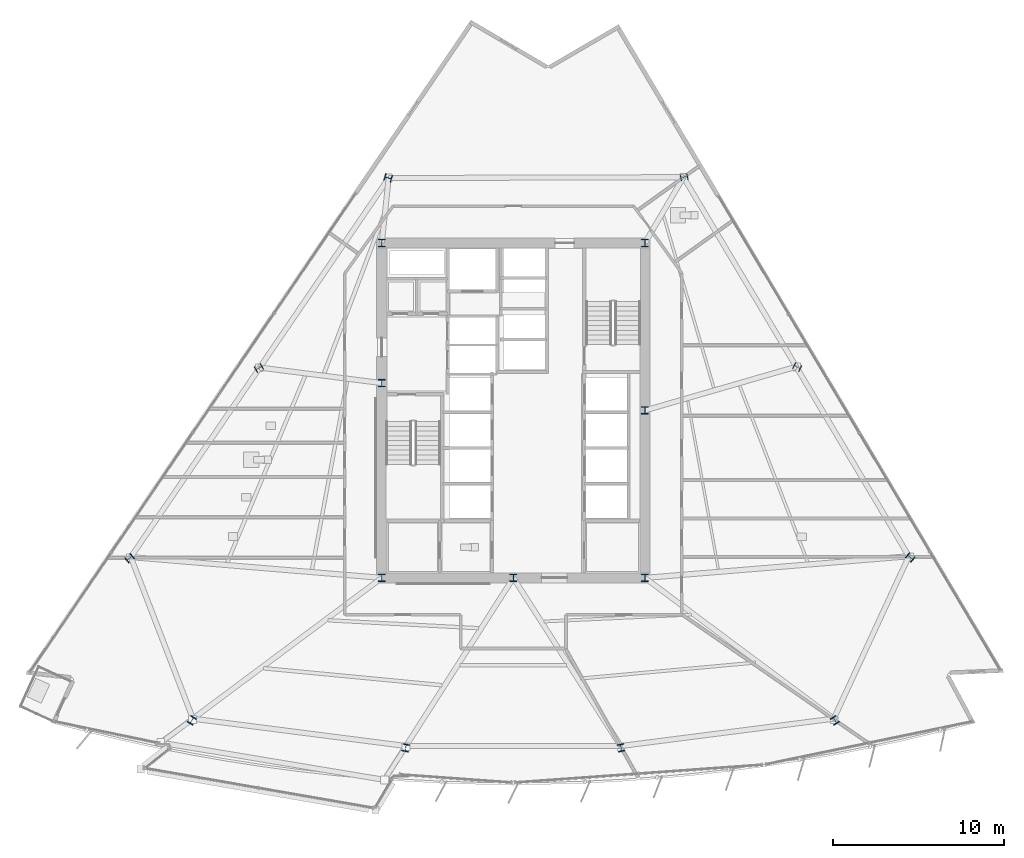
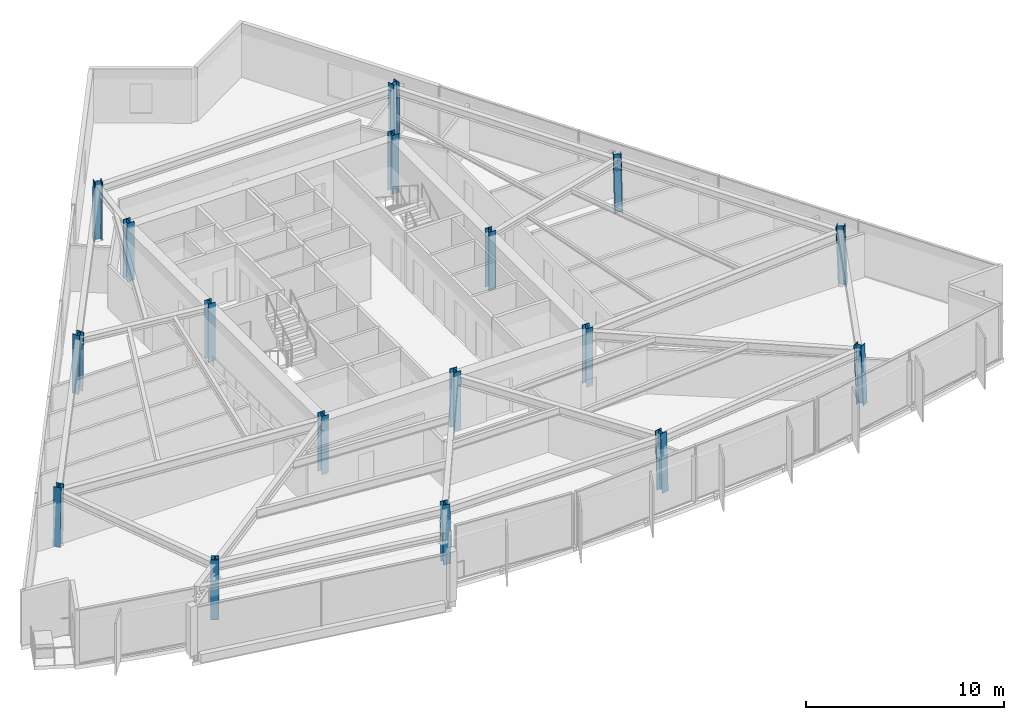
# One storey, part 1 of 15: 17 columns.
"""IFC4 building model written with IfcOpenShell, lengths in metres."""

import ifcopenshell
import ifcopenshell.guid

model = None  # the IFC model being written
_history = None  # IfcOwnerHistory: only IFC2X3 demands one
_inside = {}  # id of a spatial element -> (the spatial element, [elements in it])
_under = {}  # id of a project, library or spatial element -> (it, [spatial elements below it])
_declared = {}  # id of a project -> (the project, [libraries it declares])
_typed = {}  # id of a type object -> (the type object, [elements of that type])
_made_of = {}  # id of a material, layer set ... -> (it, [elements and type objects made of it])


def new_model(schema):
    """Start an empty IFC model of exactly this schema.

    Asked for "IFC4X3", IfcOpenShell would pick the latest addendum, in which some entities
    have other attributes; the version numbers below select the first issue.
    IFC2X3 requires an IfcOwnerHistory on every rooted entity: one is made here for all.
    """
    global model, _history
    if schema == "IFC4X3":
        model = ifcopenshell.file(schema_version=(4, 3, 0, 0))
    else:
        model = ifcopenshell.file(schema=schema)
    _inside.clear()
    _under.clear()
    _declared.clear()
    _typed.clear()
    _made_of.clear()
    _history = None
    if model.schema == "IFC2X3":
        org = make("IfcOrganization", Name="unknown")
        user = make(
            "IfcPersonAndOrganization",
            ThePerson=make("IfcPerson", FamilyName="unknown"),
            TheOrganization=org,
        )
        app = make(
            "IfcApplication",
            ApplicationDeveloper=org,
            Version="unknown",
            ApplicationFullName="unknown",
            ApplicationIdentifier="unknown",
        )
        _history = make(
            "IfcOwnerHistory",
            OwningUser=user,
            OwningApplication=app,
            ChangeAction="ADDED",
            CreationDate=0,
        )
    return model


def make(cls, **values):
    """One entity of the class cls with the attributes given. An attribute that is None is left unset."""
    return model.create_entity(
        cls, **{name: value for name, value in values.items() if value is not None}
    )


def rooted(cls, **values):
    """An entity with a GlobalId (a new one), such as an element, a storey or a relation."""
    return make(cls, GlobalId=ifcopenshell.guid.new(), OwnerHistory=_history, **values)


def si_unit(unit_type, name, prefix=None):
    """IfcSIUnit, for example si_unit("LENGTHUNIT", "METRE", prefix="MILLI")."""
    return make("IfcSIUnit", UnitType=unit_type, Prefix=prefix, Name=name)


def assignment(units):
    """IfcUnitAssignment: the units of a project."""
    return None if units is None else make("IfcUnitAssignment", Units=units)


def point(xyz):
    """IfcCartesianPoint."""
    return None if xyz is None else make("IfcCartesianPoint", Coordinates=xyz)


def direction(xyz):
    """IfcDirection."""
    return None if xyz is None else make("IfcDirection", DirectionRatios=xyz)


def frame(location, z_axis=None, x_axis=None):
    """IfcAxis2Placement3D, a coordinate frame: its origin and axes. An axis left out is left unset."""
    return make(
        "IfcAxis2Placement3D",
        Location=point(location),
        Axis=direction(z_axis),
        RefDirection=direction(x_axis),
    )


def frame_2d(location, x_axis=None):
    """IfcAxis2Placement2D, a coordinate frame in the plane: its origin and x axis."""
    return make(
        "IfcAxis2Placement2D", Location=point(location), RefDirection=direction(x_axis)
    )


def origin():
    """The frame at (0, 0, 0) with its axes left unset."""
    return frame((0.0, 0.0, 0.0))


def origin_2d():
    """The frame at (0, 0) in the plane with its x axis left unset."""
    return frame_2d((0.0, 0.0))


def place(relative_to, where):
    """IfcLocalPlacement: puts the frame where relative to a parent placement (None: the world)."""
    return make(
        "IfcLocalPlacement", PlacementRelTo=relative_to, RelativePlacement=where
    )


def context(
    kind, dimensions, precision=None, world=None, true_north=None, identifier=None
):
    """IfcGeometricRepresentationContext, for example the 3D "Model" context."""
    return make(
        "IfcGeometricRepresentationContext",
        ContextIdentifier=identifier,
        ContextType=kind,
        CoordinateSpaceDimension=dimensions,
        Precision=precision,
        WorldCoordinateSystem=world,
        TrueNorth=true_north,
    )


def subcontext(parent, identifier, kind, view, scale=None):
    """IfcGeometricRepresentationSubContext, for example "Body" below "Model"."""
    return make(
        "IfcGeometricRepresentationSubContext",
        ContextIdentifier=identifier,
        ContextType=kind,
        ParentContext=parent,
        TargetScale=scale,
        TargetView=view,
    )


def project(units=None, contexts=None):
    """IfcProject with its units and contexts."""
    return rooted(
        "IfcProject",
        Name="project",
        RepresentationContexts=contexts,
        UnitsInContext=assignment(units),
    )


def spatial(cls, under=None, at=None, **own):
    """A site, building, storey or space (cls), placed at a placement, below another one or the project."""
    s = rooted(cls, ObjectPlacement=at, **own)
    if under is not None:
        _under.setdefault(under.id(), (under, []))[1].append(s)
    return s


def profile(cls, at=None, kind="AREA", **sizes):
    """A parametric profile (cls). Its sizes go by their IFC names, for example OverallWidth=200.0."""
    return make(cls, ProfileType=kind, Position=at, **sizes)


def i_section(**sizes):
    """IfcIShapeProfileDef."""
    return profile("IfcIShapeProfileDef", **sizes)


def extrude(swept, where, along, depth):
    """IfcExtrudedAreaSolid: the profile swept, set in the frame where, extruded along a direction by depth."""
    return make(
        "IfcExtrudedAreaSolid",
        SweptArea=swept,
        Position=where,
        ExtrudedDirection=direction(along),
        Depth=depth,
    )


def shape(context_of_items, identifier, shape_type, items):
    """IfcShapeRepresentation: the items that make up one representation, for example the "Body"."""
    return make(
        "IfcShapeRepresentation",
        ContextOfItems=context_of_items,
        RepresentationIdentifier=identifier,
        RepresentationType=shape_type,
        Items=items,
    )


def material(Name=None, Category=None):
    """IfcMaterial."""
    return make("IfcMaterial", Name=Name, Category=Category)


def material_profile(
    of_material, cross_section, Name=None, Category=None, Priority=None
):
    """IfcMaterialProfile: a cross section and its material."""
    return make(
        "IfcMaterialProfile",
        Name=Name,
        Material=of_material,
        Profile=cross_section,
        Priority=Priority,
        Category=Category,
    )


def profile_set(profiles, Name=None, composite=None):
    """IfcMaterialProfileSet."""
    return make(
        "IfcMaterialProfileSet",
        Name=Name,
        MaterialProfiles=profiles,
        CompositeProfile=composite,
    )


def made_of(thing, what):
    """Note that an element or type object is made of a material, layer set ...; save() writes the relation."""
    if what is not None:
        _made_of.setdefault(what.id(), (what, []))[1].append(thing)
    return thing


def type_object(cls, material=None, **own):
    """A type object (cls), such as IfcWallType, which elements share."""
    return made_of(rooted(cls, **own), material)


def element(
    cls,
    number,
    at=None,
    inside=None,
    cuts=None,
    type_object=None,
    material=None,
    context=None,
    identifier="Body",
    shape_type=None,
    held_by="IfcProductDefinitionShape",
    body=None,
    shapes=None,
    **own,
):
    """One element of the class cls, such as IfcWall. Its Tag is "e" and its number.

    at: its placement. inside: the storey or other place that contains it. cuts: it is an
    opening in that element (IfcRelVoidsElement). A single representation is given by context,
    identifier, shape_type and body (its items); several are given by shapes. held_by: the class
    of the entity that holds the representations. save() writes the other relations.
    """
    e = rooted(cls, Tag="e%d" % number, ObjectPlacement=at, **own)
    if body is not None:
        shapes = [shape(context, identifier, shape_type, body)]
    if shapes is not None:
        e.Representation = make(held_by, Representations=shapes)
    if inside is not None:
        _inside.setdefault(inside.id(), (inside, []))[1].append(e)
    if cuts is not None:
        rooted(
            "IfcRelVoidsElement", RelatingBuildingElement=cuts, RelatedOpeningElement=e
        )
    if type_object is not None:
        _typed.setdefault(type_object.id(), (type_object, []))[1].append(e)
    return made_of(e, material)


def aggregate(whole, parts):
    """IfcRelAggregates: a whole, such as a stair, and the parts it consists of."""
    return rooted("IfcRelAggregates", RelatingObject=whole, RelatedObjects=parts)


def save(model, path):
    """Write the relations noted so far, then the file.

    IfcRelAggregates (storeys below a building ...), IfcRelContainedInSpatialStructure (elements
    in a storey), IfcRelDefinesByType, IfcRelAssociatesMaterial and IfcRelDeclares: one each for
    every whole, place, type object, material and project.
    """
    for whole, parts in _under.values():
        aggregate(whole, parts)
    for where, things in _inside.values():
        rooted(
            "IfcRelContainedInSpatialStructure",
            RelatedElements=things,
            RelatingStructure=where,
        )
    for kind, things in _typed.values():
        rooted("IfcRelDefinesByType", RelatedObjects=things, RelatingType=kind)
    for what, things in _made_of.values():
        rooted("IfcRelAssociatesMaterial", RelatedObjects=things, RelatingMaterial=what)
    for by, libraries in _declared.values():
        rooted("IfcRelDeclares", RelatingContext=by, RelatedDefinitions=libraries)
    model.write(path)


model = new_model("IFC4")

# Units and contexts
model_context = context("Model", 3, precision=1e-05, world=origin(), true_north=direction((0.0, 1.0)))
body_context = subcontext(model_context, "Body", "Model", "MODEL_VIEW")
ifc_project = project(units=[si_unit("LENGTHUNIT", "METRE"), si_unit("AREAUNIT", "SQUARE_METRE"), si_unit("VOLUMEUNIT", "CUBIC_METRE"), si_unit("PLANEANGLEUNIT", "RADIAN"), si_unit("MASSUNIT", "GRAM", prefix="KILO")], contexts=[model_context])

# Site, building, storey
site_placement = place(None, origin())
site = spatial("IfcSite", under=ifc_project, at=site_placement, CompositionType="ELEMENT")
building_placement = place(site_placement, origin())
building = spatial("IfcBuilding", under=site, at=building_placement, Name="Savorim Split Tower", CompositionType="ELEMENT")
storey_placement = place(building_placement, frame((0.0, 0.0, 104.10009765625)))
storey = spatial("IfcBuildingStorey", under=building, at=storey_placement, Name="L27", CompositionType="ELEMENT", Elevation=104.10009765625)

# Columns
ifc_material = material(Name="Steel S460", Category="steel")
ifc_material_profile = material_profile(ifc_material, i_section(OverallWidth=0.408935546875, OverallDepth=0.425048828125, WebThickness=0.020751953125, FlangeThickness=0.033935546875, FilletRadius=0.014892578125, at=origin_2d()), Name="HD 400x421")
ifc_profile_set = profile_set([ifc_material_profile], Name="Steel S460")
column_type = type_object("IfcColumnType", Name="COL-HD-421", PredefinedType="COLUMN", material=ifc_profile_set)
for number, where, z_axis, x_axis, name in (
    (1, (-7.699951171875, -9.39990234375, 0.0), (0.0, 0.0, 1.0), (1.0, 0.0, 0.0), "L27 Core Structural Column TC-C1"),
    (2, (7.699951171875, -9.39990234375, 0.0), (0.0, 0.0, 1.0), (1.0, 0.0, 0.0), "L27 Core Structural Column TC-C2"),
    (3, (7.699951171875, 10.199951171875, 0.0), (0.0, 0.0, 1.0), (1.0, 0.0, 0.0), "L27 Core Structural Column TC-C3"),
    (4, (-7.699951171875, 10.199951171875, 0.0), (0.0, 0.0, 1.0), (1.0, 0.0, 0.0), "L27 Core Structural Column TC-C4"),
    (5, (0.0, -9.39990234375, 0.0), (0.0, 0.0, 1.0), (1.0, 0.0, 0.0), "L27 Core Structural Column TC-C5"),
    (6, (7.699951171875, 0.39990234375, 0.0), (0.0, 0.0, 1.0), (1.0, 0.0, 0.0), "L27 Core Structural Column TC-C6"),
    (7, (-7.699951171875, 2.0, 0.0), (0.0, 0.0, 1.0), (1.0, 0.0, 0.0), "L27 Core Structural Column TC-C7"),
):
    element("IfcColumn", number, at=place(storey_placement, frame(where, z_axis=z_axis, x_axis=x_axis)), inside=storey, type_object=column_type, Name=name, PredefinedType="COLUMN", context=body_context, shape_type="SweptSolid", body=[
        extrude(i_section(OverallWidth=0.408935546875, OverallDepth=0.425048828125, WebThickness=0.020751953125, FlangeThickness=0.033935546875, FilletRadius=0.014892578125, at=origin_2d()), origin(), (0.0, 0.0, 1.0), 3.599853515625),
    ])
column_1_placement = place(storey_placement, frame((-18.8251953125, -17.75830078125, 0.00537109375), z_axis=(0.020594893987, 0.033509183946, 0.999226193078), x_axis=(-0.851954850327, 0.523615252838, 0.0)))
element("IfcColumn", 8, at=column_1_placement, inside=storey, type_object=column_type, Name="L27 Tapered Perimeter Column PC-S1", PredefinedType="COLUMN", context=body_context, shape_type="SweptSolid", body=[
    extrude(i_section(OverallWidth=0.408935546875, OverallDepth=0.425048828125, WebThickness=0.020751953125, FlangeThickness=0.033935546875, FilletRadius=0.014892578125, at=origin_2d()), origin(), (0.0, 0.0, 1.0), 3.591796875),
])
for number, where, z_axis, x_axis, name in (
    (9, (-6.309326171875, -19.365234375, 0.00537109375), (0.00693381708, 0.03528089279, 0.999353381334), (-0.981229659911, 0.192842823335, 0.0), "L27 Tapered Perimeter Column PC-S2"),
    (10, (6.309326171875, -19.365234375, 0.00537109375), (-0.00693381708, 0.03528089279, 0.999353381334), (-0.981229659911, -0.192842823335, 0.0), "L27 Tapered Perimeter Column PC-S3"),
):
    element("IfcColumn", number, at=place(storey_placement, frame(where, z_axis=z_axis, x_axis=x_axis)), inside=storey, type_object=column_type, Name=name, PredefinedType="COLUMN", context=body_context, shape_type="SweptSolid", body=[
        extrude(i_section(OverallWidth=0.408935546875, OverallDepth=0.425048828125, WebThickness=0.020751953125, FlangeThickness=0.033935546875, FilletRadius=0.014892578125, at=origin_2d()), origin(), (0.0, 0.0, 1.0), 3.591552734375),
    ])
column_2_placement = place(storey_placement, frame((18.8251953125, -17.75830078125, 0.00537109375), z_axis=(-0.020594893987, 0.033509183946, 0.999226193078), x_axis=(-0.851954850327, -0.523615252838, 0.0)))
element("IfcColumn", 11, at=column_2_placement, inside=storey, type_object=column_type, Name="L27 Tapered Perimeter Column PC-S4", PredefinedType="COLUMN", context=body_context, shape_type="SweptSolid", body=[
    extrude(i_section(OverallWidth=0.408935546875, OverallDepth=0.425048828125, WebThickness=0.020751953125, FlangeThickness=0.033935546875, FilletRadius=0.014892578125, at=origin_2d()), origin(), (0.0, 0.0, 1.0), 3.591796875),
])
column_3_placement = place(storey_placement, frame((23.240478515625, -8.211181640625, 0.00537109375), z_axis=(-0.026105701351, 0.021550800334, 0.999426863438), x_axis=(-0.636621915226, -0.771176073964, 0.0)))
element("IfcColumn", 12, at=column_3_placement, inside=storey, type_object=column_type, Name="L27 Tapered Perimeter Column PC-E1", PredefinedType="COLUMN", context=body_context, shape_type="SweptSolid", body=[
    extrude(i_section(OverallWidth=0.408935546875, OverallDepth=0.425048828125, WebThickness=0.020751953125, FlangeThickness=0.033935546875, FilletRadius=0.014892578125, at=origin_2d()), origin(), (0.0, 0.0, 1.0), 3.591064453125),
])
column_4_placement = place(storey_placement, frame((16.619384765625, 2.923583984375, 0.00537109375), z_axis=(-0.018906041, 0.009521027842, 0.999775930718), x_axis=(-0.449781931574, -0.893138406984, 0.0)))
element("IfcColumn", 13, at=column_4_placement, inside=storey, type_object=column_type, Name="L27 Tapered Perimeter Column PC-E2", PredefinedType="COLUMN", context=body_context, shape_type="SweptSolid", body=[
    extrude(i_section(OverallWidth=0.408935546875, OverallDepth=0.425048828125, WebThickness=0.020751953125, FlangeThickness=0.033935546875, FilletRadius=0.014892578125, at=origin_2d()), origin(), (0.0, 0.0, 1.0), 3.58984375),
])
for number, where, z_axis, x_axis, name in (
    (14, (9.998291015625, 14.05810546875, 0.00537109375), (-0.011699046613, -0.002516655376, 0.999928396814), (0.210305364179, -0.977635746993, 0.0), "L27 Tapered Perimeter Column PC-E3"),
    (15, (-7.3271484375, 14.009521484375, 0.00537109375), (0.008842560589, -0.00258474848, 0.999957563198), (0.280566991813, 0.959834445675, 0.0), "L27 Tapered Perimeter Column PC-W1"),
):
    element("IfcColumn", number, at=place(storey_placement, frame(where, z_axis=z_axis, x_axis=x_axis)), inside=storey, type_object=column_type, Name=name, PredefinedType="COLUMN", context=body_context, shape_type="SweptSolid", body=[
        extrude(i_section(OverallWidth=0.408935546875, OverallDepth=0.425048828125, WebThickness=0.020751953125, FlangeThickness=0.033935546875, FilletRadius=0.014892578125, at=origin_2d()), origin(), (0.0, 0.0, 1.0), 3.58935546875),
    ])
column_5_placement = place(storey_placement, frame((-14.90185546875, 2.874755859375, 0.00537109375), z_axis=(0.01700241672, 0.009521353363, 0.999810112799), x_axis=(-0.488603368932, 0.87250601595, 0.0)))
element("IfcColumn", 16, at=column_5_placement, inside=storey, type_object=column_type, Name="L27 Tapered Perimeter Column PC-W2", PredefinedType="COLUMN", context=body_context, shape_type="SweptSolid", body=[
    extrude(i_section(OverallWidth=0.408935546875, OverallDepth=0.425048828125, WebThickness=0.020751953125, FlangeThickness=0.033935546875, FilletRadius=0.014892578125, at=origin_2d()), origin(), (0.0, 0.0, 1.0), 3.58984375),
])
column_6_placement = place(storey_placement, frame((-22.4765625, -8.260009765625, 0.00537109375), z_axis=(0.025222486673, 0.021551289152, 0.999449532544), x_axis=(-0.649609258817, 0.760268249278, 0.0)))
element("IfcColumn", 17, at=column_6_placement, inside=storey, type_object=column_type, Name="L27 Tapered Perimeter Column PC-W3", PredefinedType="COLUMN", context=body_context, shape_type="SweptSolid", body=[
    extrude(i_section(OverallWidth=0.408935546875, OverallDepth=0.425048828125, WebThickness=0.020751953125, FlangeThickness=0.033935546875, FilletRadius=0.014892578125, at=origin_2d()), origin(), (0.0, 0.0, 1.0), 3.591064453125),
])

save(model, "model.ifc")
